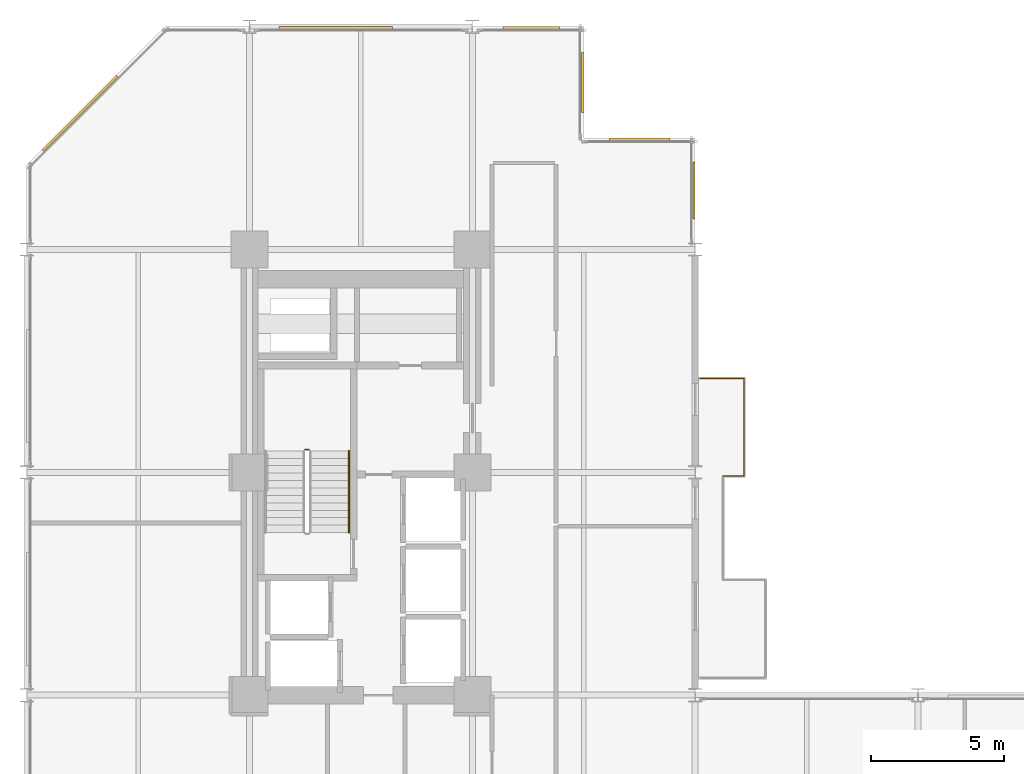
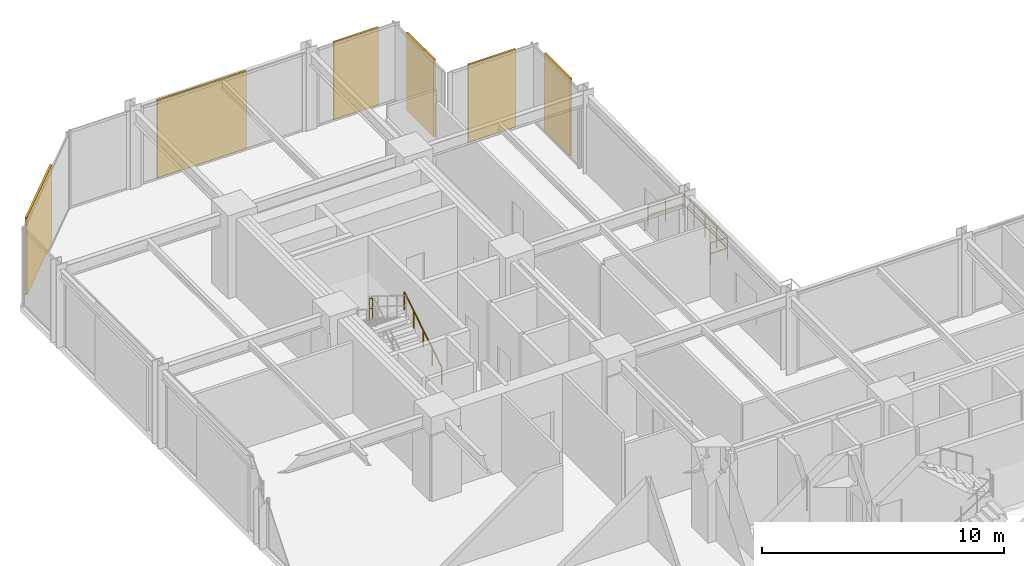
# One storey, part 24 of 24: 6 coverings, 5 railings.
"""IFC4 building model written with IfcOpenShell, lengths in metres."""

from ifc_helpers import new_model, si_unit, direction, frame, origin, origin_2d, place, context, subcontext, project, spatial, rectangle, circle, extrude, material, layer, layer_set, type_object, element, save


model = new_model("IFC4")

# Units and contexts
model_context = context("Model", 3, precision=1e-05, world=origin(), true_north=direction((0.0, 1.0)))
body_context = subcontext(model_context, "Body", "Model", "MODEL_VIEW")
ifc_project = project(units=[si_unit("LENGTHUNIT", "METRE"), si_unit("AREAUNIT", "SQUARE_METRE"), si_unit("VOLUMEUNIT", "CUBIC_METRE"), si_unit("PLANEANGLEUNIT", "RADIAN"), si_unit("MASSUNIT", "GRAM", prefix="KILO")], contexts=[model_context])

# Site, building, storey
site_placement = place(None, origin())
site = spatial("IfcSite", under=ifc_project, at=site_placement, CompositionType="ELEMENT")
building_placement = place(site_placement, origin())
building = spatial("IfcBuilding", under=site, at=building_placement, Name="Nerrivon Quay Data Exchange", CompositionType="ELEMENT")
storey_placement = place(building_placement, frame((0.0, 0.0, 33.199951171875)))
storey = spatial("IfcBuildingStorey", under=building, at=storey_placement, Name="L07", CompositionType="ELEMENT", Elevation=33.199951171875)

# Coverings
ifc_material_1 = material(Name="Architectural terracotta ceramic", Category="masonry")
ifc_layer = layer(ifc_material_1, 0.090087890625)
ifc_layer_set = layer_set([ifc_layer], Name="Architectural terracotta ceramic")
covering_type = type_object("IfcCoveringType", Name="COV-SCR-TERR", PredefinedType="CLADDING", material=ifc_layer_set)
covering_1_placement = place(storey_placement, frame((2.0078125, 47.144287109375, 0.0), z_axis=(0.0, 0.0, 1.0), x_axis=(0.707106781187, 0.707106781187, 0.0)))
element("IfcCovering", 1, at=covering_1_placement, inside=storey, type_object=covering_type, Name="L07 Perforated Terracotta SOLAR SCREEN Cassette", PredefinedType="CLADDING", context=body_context, shape_type="SweptSolid", body=[
    extrude(rectangle(XDim=3.970947265625, YDim=0.090087890625, at=origin_2d()), origin(), (0.0, 0.0, 1.0), 3.925048828125),
])
covering_2_placement = place(storey_placement, frame((11.652099609375, 50.35498046875, 0.0), z_axis=(0.0, 0.0, 1.0), x_axis=(1.0, 0.0, 0.0)))
element("IfcCovering", 2, at=covering_2_placement, inside=storey, type_object=covering_type, Name="L07 Perforated Terracotta SOLAR SCREEN Cassette", PredefinedType="CLADDING", context=body_context, shape_type="SweptSolid", body=[
    extrude(rectangle(XDim=4.26611328125, YDim=0.090087890625, at=origin_2d()), origin(), (0.0, 0.0, 1.0), 3.925048828125),
])
covering_3_placement = place(storey_placement, frame((19.02490234375, 50.35498046875, 0.0), z_axis=(0.0, 0.0, 1.0), x_axis=(1.0, 0.0, 0.0)))
element("IfcCovering", 3, at=covering_3_placement, inside=storey, type_object=covering_type, Name="L07 Perforated Terracotta SOLAR SCREEN Cassette", PredefinedType="CLADDING", context=body_context, shape_type="SweptSolid", body=[
    extrude(rectangle(XDim=2.133056640625, YDim=0.090087890625, at=origin_2d()), origin(), (0.0, 0.0, 1.0), 3.925048828125),
])
for number, where, z_axis, x_axis, name in (
    (4, (20.955078125, 48.300048828125, 0.0), (0.0, 0.0, 1.0), (0.0, -1.0, 0.0), "L07 Perforated Terracotta SOLAR SCREEN Cassette"),
    (5, (23.10009765625, 46.155029296875, 0.0), (0.0, 0.0, 1.0), (1.0, 0.0, 0.0), "L07 Perforated Terracotta SOLAR SCREEN Cassette"),
):
    element("IfcCovering", number, at=place(storey_placement, frame(where, z_axis=z_axis, x_axis=x_axis)), inside=storey, type_object=covering_type, Name=name, PredefinedType="CLADDING", context=body_context, shape_type="SweptSolid", body=[
        extrude(rectangle(XDim=2.26806640625, YDim=0.090087890625, at=origin_2d()), origin(), (0.0, 0.0, 1.0), 3.925048828125),
    ])
covering_4_placement = place(storey_placement, frame((25.155029296875, 44.22509765625, 0.0), z_axis=(0.0, 0.0, 1.0), x_axis=(0.0, -1.0, 0.0)))
element("IfcCovering", 6, at=covering_4_placement, inside=storey, type_object=covering_type, Name="L07 Perforated Terracotta SOLAR SCREEN Cassette", PredefinedType="CLADDING", context=body_context, shape_type="SweptSolid", body=[
    extrude(rectangle(XDim=2.133056640625, YDim=0.090087890625, at=origin_2d()), origin(), (0.0, 0.0, 1.0), 3.925048828125),
])

# Railings
ifc_material_2 = material(Name="Steel Grade C350L0 (350 MPa)", Category="steel")
railing_type_1 = type_object("IfcRailingType", Name="RAIL-GUARD-GR2", PredefinedType="BALUSTRADE", material=ifc_material_2)
railing_1_placement = place(storey_placement, frame((25.3798828125, 37.139892578125, 0.0)))
element("IfcRailing", 7, at=railing_1_placement, inside=storey, type_object=railing_type_1, Name="L07 Verandah Balcony Guard 1.4 1", PredefinedType="BALUSTRADE", context=body_context, shape_type="SweptSolid", body=[
    extrude(circle(Radius=0.02392578125, at=origin_2d()), frame((0.0, 0.0, 1.09619140625), z_axis=(1.0, 0.0, 0.0), x_axis=(0.0, 1.0, 0.0)), (0.0, 0.0, 1.0), 1.66015625),
    extrude(circle(Radius=0.02392578125, at=origin_2d()), frame((0.0, 0.0, 0.56005859375), z_axis=(1.0, 0.0, 0.0), x_axis=(0.0, 1.0, 0.0)), (0.0, 0.0, 1.0), 1.66015625),
    extrude(circle(Radius=0.02099609375, at=origin_2d()), origin(), (0.0, 0.0, 1.0), 1.072021484375),
    extrude(circle(Radius=0.02099609375, at=origin_2d()), frame((0.830078125, 0.0, 0.0)), (0.0, 0.0, 1.0), 1.072021484375),
    extrude(circle(Radius=0.02099609375, at=origin_2d()), frame((1.66015625, 0.0, 0.0)), (0.0, 0.0, 1.0), 1.072021484375),
])
railing_2_placement = place(storey_placement, frame((27.0400390625, 37.139892578125, 0.0)))
element("IfcRailing", 8, at=railing_2_placement, inside=storey, type_object=railing_type_1, Name="L07 Verandah Balcony Guard 1.5 1", PredefinedType="BALUSTRADE", context=body_context, shape_type="SweptSolid", body=[
    extrude(circle(Radius=0.02392578125, at=origin_2d()), frame((0.0, 0.0, 1.09619140625), z_axis=(0.0, -1.0, 0.0), x_axis=(1.0, 0.0, 0.0)), (0.0, 0.0, 1.0), 3.679931640625),
    extrude(circle(Radius=0.02392578125, at=origin_2d()), frame((0.0, 0.0, 0.56005859375), z_axis=(0.0, -1.0, 0.0), x_axis=(1.0, 0.0, 0.0)), (0.0, 0.0, 1.0), 3.679931640625),
    extrude(circle(Radius=0.02099609375, at=origin_2d()), origin(), (0.0, 0.0, 1.0), 1.072021484375),
    extrude(circle(Radius=0.02099609375, at=origin_2d()), frame((0.0, -0.919921875, 0.0)), (0.0, 0.0, 1.0), 1.072021484375),
    extrude(circle(Radius=0.02099609375, at=origin_2d()), frame((0.0, -1.83984375, 0.0)), (0.0, 0.0, 1.0), 1.072021484375),
    extrude(circle(Radius=0.02099609375, at=origin_2d()), frame((0.0, -2.760009765625, 0.0)), (0.0, 0.0, 1.0), 1.072021484375),
    extrude(circle(Radius=0.02099609375, at=origin_2d()), frame((0.0, -3.679931640625, 0.0)), (0.0, 0.0, 1.0), 1.072021484375),
])
railing_3_placement = place(storey_placement, frame((27.0400390625, 33.4599609375, 0.0)))
element("IfcRailing", 9, at=railing_3_placement, inside=storey, type_object=railing_type_1, Name="L07 Verandah Balcony Guard 1.6 1", PredefinedType="BALUSTRADE", context=body_context, shape_type="SweptSolid", body=[
    extrude(circle(Radius=0.02392578125, at=origin_2d()), frame((0.0, 0.0, 1.09619140625), z_axis=(-1.0, 0.0, 0.0), x_axis=(0.0, -1.0, 0.0)), (0.0, 0.0, 1.0), 0.800048828125),
    extrude(circle(Radius=0.02392578125, at=origin_2d()), frame((0.0, 0.0, 0.56005859375), z_axis=(-1.0, 0.0, 0.0), x_axis=(0.0, -1.0, 0.0)), (0.0, 0.0, 1.0), 0.800048828125),
    extrude(circle(Radius=0.02099609375, at=origin_2d()), origin(), (0.0, 0.0, 1.0), 1.072021484375),
    extrude(circle(Radius=0.02099609375, at=origin_2d()), frame((-0.800048828125, 0.0, 0.0)), (0.0, 0.0, 1.0), 1.072021484375),
])
railing_type_2 = type_object("IfcRailingType", Name="RAIL-HAND-HR1", PredefinedType="HANDRAIL", material=ifc_material_2)
railing_4_placement = place(storey_placement, frame((12.14990234375, 31.330078125, 0.175048828125)))
element("IfcRailing", 10, at=railing_4_placement, inside=storey, type_object=railing_type_2, Name="L07 ST01 stair handrail 1", PredefinedType="HANDRAIL", context=body_context, shape_type="SweptSolid", body=[
    extrude(circle(Radius=0.02392578125, at=origin_2d()), frame((0.0, 0.0, 0.8759765625), z_axis=(0.0, 0.847979421464, 0.530029150871), x_axis=(-1.0, 0.0, 0.0)), (0.0, 0.0, 1.0), 3.632080078125),
    extrude(circle(Radius=0.02099609375, at=origin_2d()), origin(), (0.0, 0.0, 1.0), 0.851806640625),
    extrude(circle(Radius=0.02099609375, at=origin_2d()), frame((0.0, 0.77001953125, 0.481201171875)), (0.0, 0.0, 1.0), 0.851806640625),
    extrude(circle(Radius=0.02099609375, at=origin_2d()), frame((0.0, 1.5400390625, 0.96240234375)), (0.0, 0.0, 1.0), 0.851806640625),
    extrude(circle(Radius=0.02099609375, at=origin_2d()), frame((0.0, 2.309814453125, 1.44384765625)), (0.0, 0.0, 1.0), 0.851806640625),
    extrude(circle(Radius=0.02099609375, at=origin_2d()), frame((0.0, 3.079833984375, 1.925048828125)), (0.0, 0.0, 1.0), 0.851806640625),
])
railing_type_3 = type_object("IfcRailingType", Name="RAIL-STAIR-GR1", PredefinedType="BALUSTRADE", material=ifc_material_2)
railing_5_placement = place(storey_placement, frame((10.64990234375, 34.4599609375, 2.10009765625)))
element("IfcRailing", 11, at=railing_5_placement, inside=storey, type_object=railing_type_3, Name="L07 ST01 stair guard 2", PredefinedType="BALUSTRADE", context=body_context, shape_type="SweptSolid", body=[
    extrude(circle(Radius=0.02392578125, at=origin_2d()), frame((0.0, 0.0, 1.076171875), z_axis=(-1.0, 0.0, 0.0), x_axis=(0.0, -1.0, 0.0)), (0.0, 0.0, 1.0), 0.14990234375),
    extrude(circle(Radius=0.02392578125, at=origin_2d()), frame((0.0, 0.0, 0.550048828125), z_axis=(-1.0, 0.0, 0.0), x_axis=(0.0, -1.0, 0.0)), (0.0, 0.0, 1.0), 0.14990234375),
    extrude(circle(Radius=0.02099609375, at=origin_2d()), origin(), (0.0, 0.0, 1.0), 1.052001953125),
    extrude(circle(Radius=0.02099609375, at=origin_2d()), frame((-0.14990234375, 0.0, 0.0)), (0.0, 0.0, 1.0), 1.052001953125),
])

save(model, "model.ifc")
